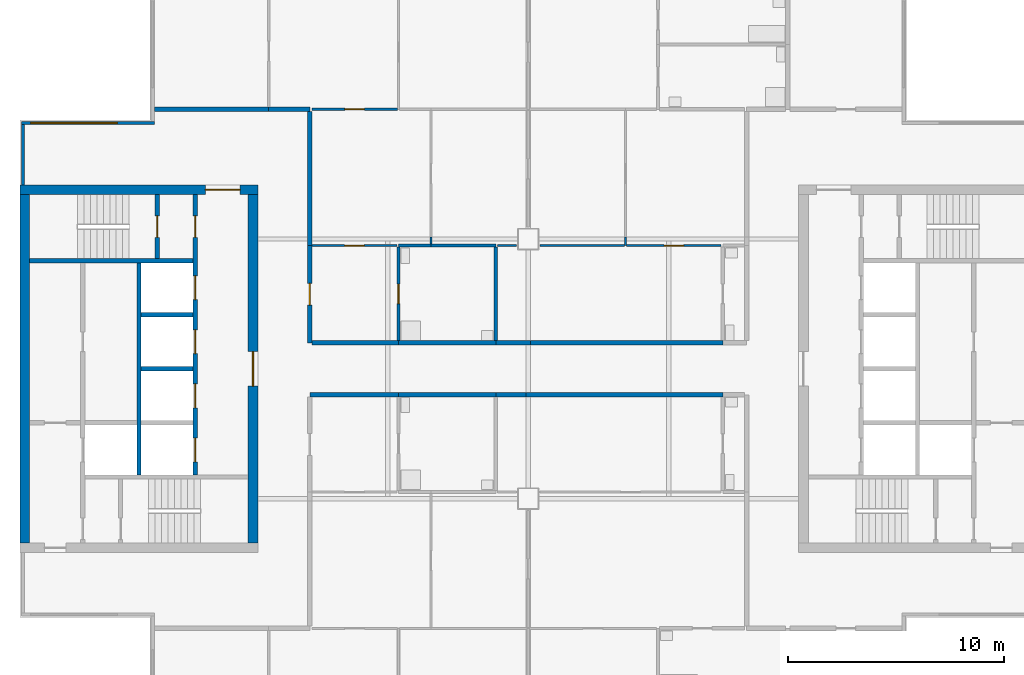
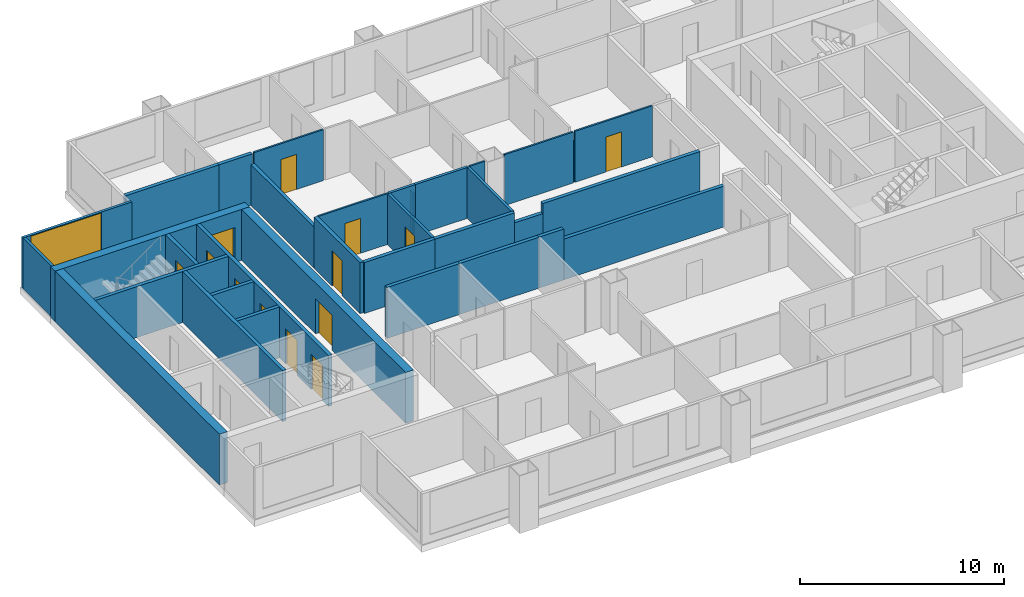
# One storey, part 3 of 8: 34 walls, 13 doors, 1 window, 14 openings.
"""IFC4 building model written with IfcOpenShell, lengths in metres."""

from ifc_helpers import new_model, si_unit, direction, frame, frame_2d, origin, place, context, subcontext, project, spatial, rectangle, extrude, material, layer, layer_set, type_object, element, fill, save


model = new_model("IFC4")

# Units and contexts
model_context = context("Model", 3, precision=1e-05, world=origin(), true_north=direction((0.0, 1.0)))
body_context = subcontext(model_context, "Body", "Model", "MODEL_VIEW")
ifc_project = project(units=[si_unit("LENGTHUNIT", "METRE"), si_unit("AREAUNIT", "SQUARE_METRE"), si_unit("VOLUMEUNIT", "CUBIC_METRE"), si_unit("PLANEANGLEUNIT", "RADIAN"), si_unit("MASSUNIT", "GRAM", prefix="KILO")], contexts=[model_context])

# Site, building, storey
site_placement = place(None, origin())
site = spatial("IfcSite", under=ifc_project, at=site_placement, CompositionType="ELEMENT")
building_placement = place(site_placement, origin())
building = spatial("IfcBuilding", under=site, at=building_placement, Name="Kitamizu Gate Tower and Museum", CompositionType="ELEMENT")
storey_placement = place(building_placement, frame((0.0, 0.0, 235.199951171875)))
storey = spatial("IfcBuildingStorey", under=building, at=storey_placement, Name="L63", CompositionType="ELEMENT", Elevation=235.199951171875)

# Wall, opening, door
ifc_material_1 = material(Name="Concrete Fc42", Category="concrete")
ifc_layer_1 = layer(ifc_material_1, 0.449951171875)
ifc_layer_set_1 = layer_set([ifc_layer_1], Name="Concrete Fc42")
wall_type_1 = type_object("IfcWallType", Name="Core wall 450", PredefinedType="SHEAR", material=ifc_layer_set_1)
wall_1_placement = place(storey_placement, frame((12.5, 38.27490234375, 0.0), z_axis=(0.0, 0.0, 1.0), x_axis=(1.0, 0.0, 0.0)))
wall_1 = element("IfcWall", 1, at=wall_1_placement, inside=storey, type_object=wall_type_1, Name="Core wall WN", PredefinedType="SHEAR", context=body_context, shape_type="SweptSolid", body=[
    extrude(rectangle(XDim=11.0, YDim=0.449951171875, at=frame_2d((5.5, 0.0))), origin(), (0.0, 0.0, 1.0), 3.050048828125),
])
opening_1_placement = place(wall_1_placement, frame((8.574951171875, 0.0, 0.0)))
opening_1 = element("IfcOpeningElement", 2, at=opening_1_placement, cuts=wall_1, Name="Opening L63-036", PredefinedType="OPENING", context=body_context, shape_type="SweptSolid", body=[
    extrude(rectangle(XDim=1.60009765625, YDim=2.10009765625, at=frame_2d((0.800048828125, 1.050048828125))), frame((0.0, 0.23486328125, 0.0), z_axis=(0.0, -1.0, 0.0), x_axis=(1.0, 0.0, 0.0)), (0.0, 0.0, 1.0), 0.469970703125),
])
ifc_material_2 = material(Name="Timber door set", Category="wood")
door_type_1 = type_object("IfcDoorType", Name="Entrance door 1600", OperationType="DOUBLE_DOOR_SINGLE_SWING", PredefinedType="DOOR", material=ifc_material_2)
door_1_placement = place(opening_1_placement, origin())
door_1 = element("IfcDoor", 3, at=door_1_placement, inside=storey, type_object=door_type_1, Name="Lobby door L63-036", OperationType="DOUBLE_DOOR_SINGLE_SWING", OverallHeight=2.10009765625, OverallWidth=1.60009765625, PredefinedType="DOOR", context=body_context, shape_type="SweptSolid", body=[
    extrude(rectangle(XDim=1.60009765625, YDim=2.10009765625, at=frame_2d((0.800048828125, 1.050048828125))), frame((0.0, 0.02490234375, 0.0), z_axis=(0.0, -1.0, 0.0), x_axis=(1.0, 0.0, 0.0)), (0.0, 0.0, 1.0), 0.050048828125),
])
fill(opening_1, door_1)

# Wall
wall_2_placement = place(storey_placement, frame((12.72509765625, 21.949951171875, 0.0), z_axis=(0.0, 0.0, 1.0), x_axis=(0.0, 1.0, 0.0)))
element("IfcWall", 4, at=wall_2_placement, inside=storey, type_object=wall_type_1, Name="Core wall WOUT", PredefinedType="SHEAR", context=body_context, shape_type="SweptSolid", body=[
    extrude(rectangle(XDim=16.10009765625, YDim=0.449951171875, at=frame_2d((8.050048828125, 0.0))), origin(), (0.0, 0.0, 1.0), 3.050048828125),
])

# Wall, opening, door
wall_3_placement = place(storey_placement, frame((23.27490234375, 21.949951171875, 0.0), z_axis=(0.0, 0.0, 1.0), x_axis=(0.0, 1.0, 0.0)))
wall_3 = element("IfcWall", 5, at=wall_3_placement, inside=storey, type_object=wall_type_1, Name="Core wall WARC", PredefinedType="SHEAR", context=body_context, shape_type="SweptSolid", body=[
    extrude(rectangle(XDim=16.10009765625, YDim=0.449951171875, at=frame_2d((8.050048828125, 0.0))), origin(), (0.0, 0.0, 1.0), 3.050048828125),
])
opening_2_placement = place(wall_3_placement, frame((7.25, 0.0, 0.0)))
opening_2 = element("IfcOpeningElement", 6, at=opening_2_placement, cuts=wall_3, Name="Opening L63-037", PredefinedType="OPENING", context=body_context, shape_type="SweptSolid", body=[
    extrude(rectangle(XDim=1.60009765625, YDim=2.10009765625, at=frame_2d((0.800048828125, 1.050048828125))), frame((0.0, 0.23486328125, 0.0), z_axis=(0.0, -1.0, 0.0), x_axis=(1.0, 0.0, 0.0)), (0.0, 0.0, 1.0), 0.469970703125),
])
door_2_placement = place(opening_2_placement, origin())
door_2 = element("IfcDoor", 7, at=door_2_placement, inside=storey, type_object=door_type_1, Name="Lobby door L63-037", OperationType="DOUBLE_DOOR_SINGLE_SWING", OverallHeight=2.10009765625, OverallWidth=1.60009765625, PredefinedType="DOOR", context=body_context, shape_type="SweptSolid", body=[
    extrude(rectangle(XDim=1.60009765625, YDim=2.10009765625, at=frame_2d((0.800048828125, 1.050048828125))), frame((0.0, 0.02490234375, 0.0), z_axis=(0.0, -1.0, 0.0), x_axis=(1.0, 0.0, 0.0)), (0.0, 0.0, 1.0), 0.050048828125),
])
fill(opening_2, door_2)

ifc_material_3 = material(Name="Gypsum board on galvanised stud")
ifc_layer_2 = layer(ifc_material_3, 0.10009765625)
ifc_layer_set_2 = layer_set([ifc_layer_2], Name="Gypsum board on galvanised stud")
wall_type_2 = type_object("IfcWallType", Name="Partition 100 NOT RATED", PredefinedType="PARTITIONING", material=ifc_layer_set_2)
wall_4_placement = place(storey_placement, frame((26.0, 42.0, 0.0), z_axis=(0.0, 0.0, 1.0), x_axis=(1.0, 0.0, 0.0)))
wall_4 = element("IfcWall", 8, at=wall_4_placement, inside=storey, type_object=wall_type_2, Name="Partition L63-041", PredefinedType="PARTITIONING", context=body_context, shape_type="SweptSolid", body=[
    extrude(rectangle(XDim=3.949951171875, YDim=0.10009765625, at=frame_2d((1.97509765625, 0.0))), origin(), (0.0, 0.0, 1.0), 3.050048828125),
])
opening_3_placement = place(wall_4_placement, frame((1.52490234375, 0.0, 0.0)))
opening_3 = element("IfcOpeningElement", 9, at=opening_3_placement, cuts=wall_4, Name="Opening L63-017", PredefinedType="OPENING", context=body_context, shape_type="SweptSolid", body=[
    extrude(rectangle(XDim=0.89990234375, YDim=2.10009765625, at=frame_2d((0.449951171875, 1.050048828125))), frame((0.0, 0.06005859375, 0.0), z_axis=(0.0, -1.0, 0.0), x_axis=(1.0, 0.0, 0.0)), (0.0, 0.0, 1.0), 0.1201171875),
])
ifc_material_4 = material(Name="Timber door set", Category="wood")
door_type_2 = type_object("IfcDoorType", Name="Room door 900", OperationType="NOTDEFINED", PredefinedType="DOOR", material=ifc_material_4)
door_3_placement = place(opening_3_placement, origin())
door_3 = element("IfcDoor", 10, at=door_3_placement, inside=storey, type_object=door_type_2, Name="Door L63-017", OperationType="SINGLE_SWING_RIGHT", OverallHeight=2.10009765625, OverallWidth=0.89990234375, PredefinedType="DOOR", context=body_context, shape_type="SweptSolid", body=[
    extrude(rectangle(XDim=0.89990234375, YDim=2.10009765625, at=frame_2d((0.449951171875, 1.050048828125))), frame((0.0, 0.02490234375, 0.0), z_axis=(0.0, -1.0, 0.0), x_axis=(1.0, 0.0, 0.0)), (0.0, 0.0, 1.0), 0.050048828125),
])
fill(opening_3, door_3)

# Wall
wall_5_placement = place(storey_placement, frame((31.5, 35.77490234375, 0.0), z_axis=(0.0, 0.0, 1.0), x_axis=(0.0, 1.0, 0.0)))
element("IfcWall", 11, at=wall_5_placement, inside=storey, type_object=wall_type_2, Name="Partition L63-055", PredefinedType="PARTITIONING", context=body_context, shape_type="SweptSolid", body=[
    extrude(rectangle(XDim=0.3251953125, YDim=0.10009765625, at=frame_2d((0.16259765625, 0.0))), origin(), (0.0, 0.0, 1.0), 2.449951171875),
])

# Wall, opening, door
wall_6_placement = place(storey_placement, frame((26.0, 35.699951171875, 0.0), z_axis=(0.0, 0.0, 1.0), x_axis=(1.0, 0.0, 0.0)))
wall_6 = element("IfcWall", 12, at=wall_6_placement, inside=storey, type_object=wall_type_2, Name="Partition L63-057", PredefinedType="PARTITIONING", context=body_context, shape_type="SweptSolid", body=[
    extrude(rectangle(XDim=3.925048828125, YDim=0.10009765625, at=frame_2d((1.96240234375, 0.0))), origin(), (0.0, 0.0, 1.0), 3.050048828125),
])
opening_4_placement = place(wall_6_placement, frame((1.512451171875, 0.0, 0.0)))
opening_4 = element("IfcOpeningElement", 13, at=opening_4_placement, cuts=wall_6, Name="Opening L63-016", PredefinedType="OPENING", context=body_context, shape_type="SweptSolid", body=[
    extrude(rectangle(XDim=0.89990234375, YDim=2.10009765625, at=frame_2d((0.449951171875, 1.050048828125))), frame((0.0, 0.06005859375, 0.0), z_axis=(0.0, -1.0, 0.0), x_axis=(1.0, 0.0, 0.0)), (0.0, 0.0, 1.0), 0.1201171875),
])
door_4_placement = place(opening_4_placement, origin())
door_4 = element("IfcDoor", 14, at=door_4_placement, inside=storey, type_object=door_type_2, Name="Door L63-016", OperationType="SINGLE_SWING_LEFT", OverallHeight=2.10009765625, OverallWidth=0.89990234375, PredefinedType="DOOR", context=body_context, shape_type="SweptSolid", body=[
    extrude(rectangle(XDim=0.89990234375, YDim=2.10009765625, at=frame_2d((0.449951171875, 1.050048828125))), frame((0.0, 0.02490234375, 0.0), z_axis=(0.0, -1.0, 0.0), x_axis=(1.0, 0.0, 0.0)), (0.0, 0.0, 1.0), 0.050048828125),
])
fill(opening_4, door_4)

# Walls
wall_7_placement = place(storey_placement, frame((34.574951171875, 35.699951171875, 0.0), z_axis=(0.0, 0.0, 1.0), x_axis=(1.0, 0.0, 0.0)))
element("IfcWall", 15, at=wall_7_placement, inside=storey, type_object=wall_type_2, Name="Partition L63-062", PredefinedType="PARTITIONING", context=body_context, shape_type="SweptSolid", body=[
    extrude(rectangle(XDim=0.875, YDim=0.10009765625, at=frame_2d((0.4375, 0.0))), origin(), (0.0, 0.0, 1.0), 3.050048828125),
])
wall_8_placement = place(storey_placement, frame((40.5, 35.699951171875, 0.0), z_axis=(0.0, 0.0, 1.0), x_axis=(0.0, 1.0, 0.0)))
element("IfcWall", 16, at=wall_8_placement, inside=storey, type_object=wall_type_2, Name="Partition L63-063", PredefinedType="PARTITIONING", context=body_context, shape_type="SweptSolid", body=[
    extrude(rectangle(XDim=0.400146484375, YDim=0.10009765625, at=frame_2d((0.2001953125, 0.0))), origin(), (0.0, 0.0, 1.0), 2.449951171875),
])
wall_9_placement = place(storey_placement, frame((36.550048828125, 35.699951171875, 0.0), z_axis=(0.0, 0.0, 1.0), x_axis=(1.0, 0.0, 0.0)))
element("IfcWall", 17, at=wall_9_placement, inside=storey, type_object=wall_type_2, Name="Partition L63-065", PredefinedType="PARTITIONING", context=body_context, shape_type="SweptSolid", body=[
    extrude(rectangle(XDim=3.89990234375, YDim=0.10009765625, at=frame_2d((1.949951171875, 0.0))), origin(), (0.0, 0.0, 1.0), 3.050048828125),
])

# Wall, opening, door
wall_10_placement = place(storey_placement, frame((40.550048828125, 35.699951171875, 0.0), z_axis=(0.0, 0.0, 1.0), x_axis=(1.0, 0.0, 0.0)))
wall_10 = element("IfcWall", 18, at=wall_10_placement, inside=storey, type_object=wall_type_2, Name="Partition L63-066", PredefinedType="PARTITIONING", context=body_context, shape_type="SweptSolid", body=[
    extrude(rectangle(XDim=4.375, YDim=0.10009765625, at=frame_2d((2.1875, 0.0))), origin(), (0.0, 0.0, 1.0), 3.050048828125),
])
opening_5_placement = place(wall_10_placement, frame((1.737548828125, 0.0, 0.0)))
opening_5 = element("IfcOpeningElement", 19, at=opening_5_placement, cuts=wall_10, Name="Opening L63-025", PredefinedType="OPENING", context=body_context, shape_type="SweptSolid", body=[
    extrude(rectangle(XDim=0.89990234375, YDim=2.10009765625, at=frame_2d((0.449951171875, 1.050048828125))), frame((0.0, 0.06005859375, 0.0), z_axis=(0.0, -1.0, 0.0), x_axis=(1.0, 0.0, 0.0)), (0.0, 0.0, 1.0), 0.1201171875),
])
door_5_placement = place(opening_5_placement, origin())
door_5 = element("IfcDoor", 20, at=door_5_placement, inside=storey, type_object=door_type_2, Name="Door L63-025", OperationType="SINGLE_SWING_RIGHT", OverallHeight=2.10009765625, OverallWidth=0.89990234375, PredefinedType="DOOR", context=body_context, shape_type="SweptSolid", body=[
    extrude(rectangle(XDim=0.89990234375, YDim=2.10009765625, at=frame_2d((0.449951171875, 1.050048828125))), frame((0.0, 0.02490234375, 0.0), z_axis=(0.0, -1.0, 0.0), x_axis=(1.0, 0.0, 0.0)), (0.0, 0.0, 1.0), 0.050048828125),
])
fill(opening_5, door_5)

# Walls
ifc_material_5 = material(Name="Gypsum board on galvanised stud")
ifc_layer_3 = layer(ifc_material_5, 0.14990234375)
ifc_layer_set_3 = layer_set([ifc_layer_3], Name="Gypsum board on galvanised stud")
wall_type_3 = type_object("IfcWallType", Name="Partition 150", PredefinedType="PARTITIONING", material=ifc_layer_set_3)
wall_11_placement = place(storey_placement, frame((30.0, 35.699951171875, 0.0), z_axis=(0.0, 0.0, 1.0), x_axis=(1.0, 0.0, 0.0)))
element("IfcWall", 21, at=wall_11_placement, inside=storey, type_object=wall_type_3, Name="Partition L63-058", PredefinedType="PARTITIONING", context=body_context, shape_type="SweptSolid", body=[
    extrude(rectangle(XDim=1.5, YDim=0.14990234375, at=frame_2d((0.75, 0.0))), origin(), (0.0, 0.0, 1.0), 3.050048828125),
])
wall_12_placement = place(storey_placement, frame((31.5, 35.699951171875, 0.0), z_axis=(0.0, 0.0, 1.0), x_axis=(1.0, 0.0, 0.0)))
element("IfcWall", 22, at=wall_12_placement, inside=storey, type_object=wall_type_3, Name="Partition L63-061", PredefinedType="PARTITIONING", context=body_context, shape_type="SweptSolid", body=[
    extrude(rectangle(XDim=3.0, YDim=0.14990234375, at=frame_2d((1.5, 0.0))), origin(), (0.0, 0.0, 1.0), 3.050048828125),
])

# Wall, opening, door
wall_13_placement = place(storey_placement, frame((30.0, 31.300048828125, 0.0), z_axis=(0.0, 0.0, 1.0), x_axis=(0.0, 1.0, 0.0)))
wall_13 = element("IfcWall", 23, at=wall_13_placement, inside=storey, type_object=wall_type_3, Name="Partition L63-070", PredefinedType="PARTITIONING", context=body_context, shape_type="SweptSolid", body=[
    extrude(rectangle(XDim=4.324951171875, YDim=0.14990234375, at=frame_2d((2.16259765625, 0.0))), origin(), (0.0, 0.0, 1.0), 3.050048828125),
])
opening_6_placement = place(wall_13_placement, frame((1.71240234375, 0.0, 0.0)))
opening_6 = element("IfcOpeningElement", 24, at=opening_6_placement, cuts=wall_13, Name="Opening L63-015", PredefinedType="OPENING", context=body_context, shape_type="SweptSolid", body=[
    extrude(rectangle(XDim=0.89990234375, YDim=2.10009765625, at=frame_2d((0.449951171875, 1.050048828125))), frame((0.0, 0.0849609375, 0.0), z_axis=(0.0, -1.0, 0.0), x_axis=(1.0, 0.0, 0.0)), (0.0, 0.0, 1.0), 0.169921875),
])
ifc_material_6 = material(Name="Timber door set", Category="wood")
door_type_3 = type_object("IfcDoorType", Name="Bathroom door 900", OperationType="NOTDEFINED", PredefinedType="DOOR", material=ifc_material_6)
door_6_placement = place(opening_6_placement, frame((0.89990234375, 0.0, 0.0), x_axis=(-1.0, 0.0, 0.0)))
door_6 = element("IfcDoor", 25, at=door_6_placement, inside=storey, type_object=door_type_3, Name="Bathroom door L63-015", OperationType="SINGLE_SWING_LEFT", OverallHeight=2.10009765625, OverallWidth=0.89990234375, PredefinedType="DOOR", context=body_context, shape_type="SweptSolid", body=[
    extrude(rectangle(XDim=0.89990234375, YDim=2.10009765625, at=frame_2d((0.449951171875, 1.050048828125))), frame((0.0, 0.02490234375, 0.0), z_axis=(0.0, -1.0, 0.0), x_axis=(1.0, 0.0, 0.0)), (0.0, 0.0, 1.0), 0.050048828125),
])
fill(opening_6, door_6)

# Walls
wall_14_placement = place(storey_placement, frame((34.5, 31.300048828125, 0.0), z_axis=(0.0, 0.0, 1.0), x_axis=(0.0, 1.0, 0.0)))
element("IfcWall", 26, at=wall_14_placement, inside=storey, type_object=wall_type_3, Name="Partition L63-073", PredefinedType="PARTITIONING", context=body_context, shape_type="SweptSolid", body=[
    extrude(rectangle(XDim=4.324951171875, YDim=0.14990234375, at=frame_2d((2.16259765625, 0.0))), origin(), (0.0, 0.0, 1.0), 3.050048828125),
])
ifc_material_7 = material(Name="Gypsum board on galvanised stud")
ifc_layer_4 = layer(ifc_material_7, 0.199951171875)
ifc_layer_set_4 = layer_set([ifc_layer_4], Name="Gypsum board on galvanised stud")
wall_type_4 = type_object("IfcWallType", Name="Partition 200", PredefinedType="PARTITIONING", material=ifc_layer_set_4)
wall_15_placement = place(storey_placement, frame((30.0, 28.800048828125, 0.0), z_axis=(0.0, 0.0, 1.0), x_axis=(-1.0, 0.0, 0.0)))
element("IfcWall", 27, at=wall_15_placement, inside=storey, type_object=wall_type_4, Name="Partition L63-029", PredefinedType="PARTITIONING", context=body_context, shape_type="SweptSolid", body=[
    extrude(rectangle(XDim=4.10009765625, YDim=0.199951171875, at=frame_2d((2.050048828125, 0.0))), origin(), (0.0, 0.0, 1.0), 3.050048828125),
])
wall_16_placement = place(storey_placement, frame((34.5, 28.800048828125, 0.0), z_axis=(0.0, 0.0, 1.0), x_axis=(-1.0, 0.0, 0.0)))
element("IfcWall", 28, at=wall_16_placement, inside=storey, type_object=wall_type_4, Name="Partition L63-032", PredefinedType="PARTITIONING", context=body_context, shape_type="SweptSolid", body=[
    extrude(rectangle(XDim=4.5, YDim=0.199951171875, at=frame_2d((2.25, 0.0))), origin(), (0.0, 0.0, 1.0), 3.050048828125),
])
wall_17_placement = place(storey_placement, frame((45.0, 28.800048828125, 0.0), z_axis=(0.0, 0.0, 1.0), x_axis=(-1.0, 0.0, 0.0)))
element("IfcWall", 29, at=wall_17_placement, inside=storey, type_object=wall_type_4, Name="Partition L63-034", PredefinedType="PARTITIONING", context=body_context, shape_type="SweptSolid", body=[
    extrude(rectangle(XDim=9.10009765625, YDim=0.199951171875, at=frame_2d((4.550048828125, 0.0))), origin(), (0.0, 0.0, 1.0), 2.449951171875),
])
wall_18_placement = place(storey_placement, frame((35.89990234375, 28.800048828125, 0.0), z_axis=(0.0, 0.0, 1.0), x_axis=(-1.0, 0.0, 0.0)))
element("IfcWall", 30, at=wall_18_placement, inside=storey, type_object=wall_type_4, Name="Partition L63-035", PredefinedType="PARTITIONING", context=body_context, shape_type="SweptSolid", body=[
    extrude(rectangle(XDim=1.39990234375, YDim=0.199951171875, at=frame_2d((0.699951171875, 0.0))), origin(), (0.0, 0.0, 1.0), 3.050048828125),
])
wall_19_placement = place(storey_placement, frame((18.719970703125, 42.0, 0.0), z_axis=(0.0, 0.0, 1.0), x_axis=(1.0, 0.0, 0.0)))
element("IfcWall", 31, at=wall_19_placement, inside=storey, type_object=wall_type_4, Name="Partition L63-039", PredefinedType="PARTITIONING", context=body_context, shape_type="SweptSolid", body=[
    extrude(rectangle(XDim=5.280029296875, YDim=0.199951171875, at=frame_2d((2.64013671875, 0.0))), origin(), (0.0, 0.0, 1.0), 3.050048828125),
])
wall_20_placement = place(storey_placement, frame((24.0, 42.0, 0.0), z_axis=(0.0, 0.0, 1.0), x_axis=(1.0, 0.0, 0.0)))
element("IfcWall", 32, at=wall_20_placement, inside=storey, type_object=wall_type_4, Name="Partition L63-042", PredefinedType="PARTITIONING", context=body_context, shape_type="SweptSolid", body=[
    extrude(rectangle(XDim=1.89990234375, YDim=0.199951171875, at=frame_2d((0.949951171875, 0.0))), origin(), (0.0, 0.0, 1.0), 3.050048828125),
])
wall_21_placement = place(storey_placement, frame((25.89990234375, 41.89990234375, 0.0), z_axis=(0.0, 0.0, 1.0), x_axis=(0.0, -1.0, 0.0)))
element("IfcWall", 33, at=wall_21_placement, inside=storey, type_object=wall_type_4, Name="Partition L63-059", PredefinedType="PARTITIONING", context=body_context, shape_type="SweptSolid", body=[
    extrude(rectangle(XDim=6.199951171875, YDim=0.199951171875, at=frame_2d((3.10009765625, 0.0))), origin(), (0.0, 0.0, 1.0), 2.449951171875),
])

# Wall, opening, door
wall_22_placement = place(storey_placement, frame((25.89990234375, 35.699951171875, 0.0), z_axis=(0.0, 0.0, 1.0), x_axis=(0.0, -1.0, 0.0)))
wall_22 = element("IfcWall", 34, at=wall_22_placement, inside=storey, type_object=wall_type_4, Name="Partition L63-071", PredefinedType="PARTITIONING", context=body_context, shape_type="SweptSolid", body=[
    extrude(rectangle(XDim=4.5, YDim=0.199951171875, at=frame_2d((2.25, 0.0))), origin(), (0.0, 0.0, 1.0), 3.050048828125),
])
opening_7_placement = place(wall_22_placement, frame((1.75, 0.0, 0.0)))
opening_7 = element("IfcOpeningElement", 35, at=opening_7_placement, cuts=wall_22, Name="Opening L63-014", PredefinedType="OPENING", context=body_context, shape_type="SweptSolid", body=[
    extrude(rectangle(XDim=1.0, YDim=2.10009765625, at=frame_2d((0.5, 1.050048828125))), frame((0.0, 0.10986328125, 0.0), z_axis=(0.0, -1.0, 0.0), x_axis=(1.0, 0.0, 0.0)), (0.0, 0.0, 1.0), 0.219970703125),
])
ifc_material_8 = material(Name="Timber door set", Category="wood")
door_type_4 = type_object("IfcDoorType", Name="Flat entrance door 1000", OperationType="NOTDEFINED", PredefinedType="DOOR", material=ifc_material_8)
door_7_placement = place(opening_7_placement, origin())
door_7 = element("IfcDoor", 36, at=door_7_placement, inside=storey, type_object=door_type_4, Name="Flat entrance door L63-014", OperationType="SINGLE_SWING_LEFT", OverallHeight=2.10009765625, OverallWidth=1.0, PredefinedType="DOOR", context=body_context, shape_type="SweptSolid", body=[
    extrude(rectangle(XDim=1.0, YDim=2.10009765625, at=frame_2d((0.5, 1.050048828125))), frame((0.0, 0.02490234375, 0.0), z_axis=(0.0, -1.0, 0.0), x_axis=(1.0, 0.0, 0.0)), (0.0, 0.0, 1.0), 0.050048828125),
])
fill(opening_7, door_7)

# Walls
wall_23_placement = place(storey_placement, frame((26.0, 31.199951171875, 0.0), z_axis=(0.0, 0.0, 1.0), x_axis=(1.0, 0.0, 0.0)))
element("IfcWall", 37, at=wall_23_placement, inside=storey, type_object=wall_type_4, Name="Partition L63-072", PredefinedType="PARTITIONING", context=body_context, shape_type="SweptSolid", body=[
    extrude(rectangle(XDim=4.0, YDim=0.199951171875, at=frame_2d((2.0, 0.0))), origin(), (0.0, 0.0, 1.0), 3.050048828125),
])
wall_24_placement = place(storey_placement, frame((30.0, 31.199951171875, 0.0), z_axis=(0.0, 0.0, 1.0), x_axis=(1.0, 0.0, 0.0)))
element("IfcWall", 38, at=wall_24_placement, inside=storey, type_object=wall_type_4, Name="Partition L63-074", PredefinedType="PARTITIONING", context=body_context, shape_type="SweptSolid", body=[
    extrude(rectangle(XDim=4.5, YDim=0.199951171875, at=frame_2d((2.25, 0.0))), origin(), (0.0, 0.0, 1.0), 3.050048828125),
])
wall_25_placement = place(storey_placement, frame((34.5, 31.199951171875, 0.0), z_axis=(0.0, 0.0, 1.0), x_axis=(1.0, 0.0, 0.0)))
element("IfcWall", 39, at=wall_25_placement, inside=storey, type_object=wall_type_4, Name="Partition L63-076", PredefinedType="PARTITIONING", context=body_context, shape_type="SweptSolid", body=[
    extrude(rectangle(XDim=1.60009765625, YDim=0.199951171875, at=frame_2d((0.800048828125, 0.0))), origin(), (0.0, 0.0, 1.0), 2.449951171875),
])
wall_26_placement = place(storey_placement, frame((36.10009765625, 31.199951171875, 0.0), z_axis=(0.0, 0.0, 1.0), x_axis=(1.0, 0.0, 0.0)))
element("IfcWall", 40, at=wall_26_placement, inside=storey, type_object=wall_type_4, Name="Partition L63-077", PredefinedType="PARTITIONING", context=body_context, shape_type="SweptSolid", body=[
    extrude(rectangle(XDim=8.89990234375, YDim=0.199951171875, at=frame_2d((4.449951171875, 0.0))), origin(), (0.0, 0.0, 1.0), 3.050048828125),
])

# Wall, openings, doors
ifc_material_9 = material(Name="Concrete Fc42", Category="concrete")
ifc_layer_5 = layer(ifc_material_9, 0.199951171875)
ifc_layer_set_5 = layer_set([ifc_layer_5], Name="Concrete Fc42")
wall_type_5 = type_object("IfcWallType", Name="Shaft wall 200", PredefinedType="SOLIDWALL", material=ifc_layer_set_5)
wall_27_placement = place(storey_placement, frame((20.60009765625, 25.10009765625, 0.0), z_axis=(0.0, 0.0, 1.0), x_axis=(0.0, 1.0, 0.0)))
wall_27 = element("IfcWall", 41, at=wall_27_placement, inside=storey, type_object=wall_type_5, Name="Shaft wall WEAST", PredefinedType="SOLIDWALL", context=body_context, shape_type="SweptSolid", body=[
    extrude(rectangle(XDim=12.949951171875, YDim=0.199951171875, at=frame_2d((6.47509765625, 0.0))), origin(), (0.0, 0.0, 1.0), 3.050048828125),
])
opening_8_placement = place(wall_27_placement, frame((0.60009765625, 0.0, 0.0)))
opening_8 = element("IfcOpeningElement", 42, at=opening_8_placement, cuts=wall_27, Name="Opening LD", PredefinedType="OPENING", context=body_context, shape_type="SweptSolid", body=[
    extrude(rectangle(XDim=1.10009765625, YDim=2.10009765625, at=frame_2d((0.550048828125, 1.050048828125))), frame((0.0, 0.10986328125, 0.0), z_axis=(0.0, -1.0, 0.0), x_axis=(1.0, 0.0, 0.0)), (0.0, 0.0, 1.0), 0.219970703125),
])
opening_9_placement = place(wall_27_placement, frame((3.10009765625, 0.0, 0.0)))
opening_9 = element("IfcOpeningElement", 43, at=opening_9_placement, cuts=wall_27, Name="Opening LD", PredefinedType="OPENING", context=body_context, shape_type="SweptSolid", body=[
    extrude(rectangle(XDim=1.10009765625, YDim=2.10009765625, at=frame_2d((0.550048828125, 1.050048828125))), frame((0.0, 0.10986328125, 0.0), z_axis=(0.0, -1.0, 0.0), x_axis=(1.0, 0.0, 0.0)), (0.0, 0.0, 1.0), 0.219970703125),
])
opening_10_placement = place(wall_27_placement, frame((5.60009765625, 0.0, 0.0)))
opening_10 = element("IfcOpeningElement", 44, at=opening_10_placement, cuts=wall_27, Name="Opening LD", PredefinedType="OPENING", context=body_context, shape_type="SweptSolid", body=[
    extrude(rectangle(XDim=1.10009765625, YDim=2.10009765625, at=frame_2d((0.550048828125, 1.050048828125))), frame((0.0, 0.10986328125, 0.0), z_axis=(0.0, -1.0, 0.0), x_axis=(1.0, 0.0, 0.0)), (0.0, 0.0, 1.0), 0.219970703125),
])
opening_11_placement = place(wall_27_placement, frame((8.10009765625, 0.0, 0.0)))
opening_11 = element("IfcOpeningElement", 45, at=opening_11_placement, cuts=wall_27, Name="Opening LD", PredefinedType="OPENING", context=body_context, shape_type="SweptSolid", body=[
    extrude(rectangle(XDim=1.10009765625, YDim=2.10009765625, at=frame_2d((0.550048828125, 1.050048828125))), frame((0.0, 0.10986328125, 0.0), z_axis=(0.0, -1.0, 0.0), x_axis=(1.0, 0.0, 0.0)), (0.0, 0.0, 1.0), 0.219970703125),
])
opening_12_placement = place(wall_27_placement, frame((10.97509765625, 0.0, 0.0)))
opening_12 = element("IfcOpeningElement", 46, at=opening_12_placement, cuts=wall_27, Name="Opening L63-032", PredefinedType="OPENING", context=body_context, shape_type="SweptSolid", body=[
    extrude(rectangle(XDim=1.0, YDim=2.10009765625, at=frame_2d((0.5, 1.050048828125))), frame((0.0, 0.10986328125, 0.0), z_axis=(0.0, -1.0, 0.0), x_axis=(1.0, 0.0, 0.0)), (0.0, 0.0, 1.0), 0.219970703125),
])
ifc_material_10 = material(Name="Hollow metal door set")
door_type_5 = type_object("IfcDoorType", Name="Fire door 1000", OperationType="NOTDEFINED", PredefinedType="DOOR", material=ifc_material_10)
door_8_placement = place(opening_12_placement, origin())
door_8 = element("IfcDoor", 47, at=door_8_placement, inside=storey, type_object=door_type_5, Name="Stair lobby door L63-032", OperationType="SINGLE_SWING_LEFT", OverallHeight=2.10009765625, OverallWidth=1.0, PredefinedType="DOOR", context=body_context, shape_type="SweptSolid", body=[
    extrude(rectangle(XDim=1.0, YDim=2.10009765625, at=frame_2d((0.5, 1.050048828125))), frame((0.0, 0.02490234375, 0.0), z_axis=(0.0, -1.0, 0.0), x_axis=(1.0, 0.0, 0.0)), (0.0, 0.0, 1.0), 0.050048828125),
])
fill(opening_12, door_8)
ifc_material_11 = material(Name="Hollow metal door set")
door_type_6 = type_object("IfcDoorType", Name="Landing door 1100", OperationType="SLIDING_TO_LEFT", PredefinedType="DOOR", material=ifc_material_11)
door_9_placement = place(opening_8_placement, origin())
door_9 = element("IfcDoor", 48, at=door_9_placement, inside=storey, type_object=door_type_6, Name="Landing door WSV1", OperationType="SLIDING_TO_LEFT", OverallHeight=2.10009765625, OverallWidth=1.10009765625, PredefinedType="DOOR", context=body_context, shape_type="SweptSolid", body=[
    extrude(rectangle(XDim=1.10009765625, YDim=2.10009765625, at=frame_2d((0.550048828125, 1.050048828125))), frame((0.0, 0.02490234375, 0.0), z_axis=(0.0, -1.0, 0.0), x_axis=(1.0, 0.0, 0.0)), (0.0, 0.0, 1.0), 0.050048828125),
])
fill(opening_8, door_9)
door_10_placement = place(opening_9_placement, origin())
door_10 = element("IfcDoor", 49, at=door_10_placement, inside=storey, type_object=door_type_6, Name="Landing door WH1", OperationType="SLIDING_TO_LEFT", OverallHeight=2.10009765625, OverallWidth=1.10009765625, PredefinedType="DOOR", context=body_context, shape_type="SweptSolid", body=[
    extrude(rectangle(XDim=1.10009765625, YDim=2.10009765625, at=frame_2d((0.550048828125, 1.050048828125))), frame((0.0, 0.02490234375, 0.0), z_axis=(0.0, -1.0, 0.0), x_axis=(1.0, 0.0, 0.0)), (0.0, 0.0, 1.0), 0.050048828125),
])
fill(opening_9, door_10)
door_11_placement = place(opening_10_placement, origin())
door_11 = element("IfcDoor", 50, at=door_11_placement, inside=storey, type_object=door_type_6, Name="Landing door WH2", OperationType="SLIDING_TO_LEFT", OverallHeight=2.10009765625, OverallWidth=1.10009765625, PredefinedType="DOOR", context=body_context, shape_type="SweptSolid", body=[
    extrude(rectangle(XDim=1.10009765625, YDim=2.10009765625, at=frame_2d((0.550048828125, 1.050048828125))), frame((0.0, 0.02490234375, 0.0), z_axis=(0.0, -1.0, 0.0), x_axis=(1.0, 0.0, 0.0)), (0.0, 0.0, 1.0), 0.050048828125),
])
fill(opening_10, door_11)
door_12_placement = place(opening_11_placement, origin())
door_12 = element("IfcDoor", 51, at=door_12_placement, inside=storey, type_object=door_type_6, Name="Landing door WH3", OperationType="SLIDING_TO_LEFT", OverallHeight=2.10009765625, OverallWidth=1.10009765625, PredefinedType="DOOR", context=body_context, shape_type="SweptSolid", body=[
    extrude(rectangle(XDim=1.10009765625, YDim=2.10009765625, at=frame_2d((0.550048828125, 1.050048828125))), frame((0.0, 0.02490234375, 0.0), z_axis=(0.0, -1.0, 0.0), x_axis=(1.0, 0.0, 0.0)), (0.0, 0.0, 1.0), 0.050048828125),
])
fill(opening_11, door_12)

# Walls
wall_28_placement = place(storey_placement, frame((18.0, 25.10009765625, 0.0), z_axis=(0.0, 0.0, 1.0), x_axis=(0.0, 1.0, 0.0)))
element("IfcWall", 52, at=wall_28_placement, inside=storey, type_object=wall_type_5, Name="Shaft wall WMID", PredefinedType="SOLIDWALL", context=body_context, shape_type="SweptSolid", body=[
    extrude(rectangle(XDim=9.7998046875, YDim=0.199951171875, at=frame_2d((4.89990234375, 0.0))), origin(), (0.0, 0.0, 1.0), 3.050048828125),
])
wall_29_placement = place(storey_placement, frame((12.949951171875, 35.0, 0.0), z_axis=(0.0, 0.0, 1.0), x_axis=(1.0, 0.0, 0.0)))
element("IfcWall", 53, at=wall_29_placement, inside=storey, type_object=wall_type_5, Name="Shaft wall WNB", PredefinedType="SOLIDWALL", context=body_context, shape_type="SweptSolid", body=[
    extrude(rectangle(XDim=7.550048828125, YDim=0.199951171875, at=frame_2d((3.77490234375, 0.0))), origin(), (0.0, 0.0, 1.0), 3.050048828125),
])

# Wall, opening, door
wall_30_placement = place(storey_placement, frame((18.85009765625, 35.10009765625, 0.0), z_axis=(0.0, 0.0, 1.0), x_axis=(0.0, 1.0, 0.0)))
wall_30 = element("IfcWall", 54, at=wall_30_placement, inside=storey, type_object=wall_type_5, Name="Shaft wall WNZ", PredefinedType="SOLIDWALL", context=body_context, shape_type="SweptSolid", body=[
    extrude(rectangle(XDim=2.949951171875, YDim=0.199951171875, at=frame_2d((1.47509765625, 0.0))), origin(), (0.0, 0.0, 1.0), 3.050048828125),
])
opening_13_placement = place(wall_30_placement, frame((0.97509765625, 0.0, 0.0)))
opening_13 = element("IfcOpeningElement", 55, at=opening_13_placement, cuts=wall_30, Name="Opening L63-033", PredefinedType="OPENING", context=body_context, shape_type="SweptSolid", body=[
    extrude(rectangle(XDim=1.0, YDim=2.10009765625, at=frame_2d((0.5, 1.050048828125))), frame((0.0, 0.10986328125, 0.0), z_axis=(0.0, -1.0, 0.0), x_axis=(1.0, 0.0, 0.0)), (0.0, 0.0, 1.0), 0.219970703125),
])
door_13_placement = place(opening_13_placement, origin())
door_13 = element("IfcDoor", 56, at=door_13_placement, inside=storey, type_object=door_type_5, Name="Stair door L63-033", OperationType="SINGLE_SWING_RIGHT", OverallHeight=2.10009765625, OverallWidth=1.0, PredefinedType="DOOR", context=body_context, shape_type="SweptSolid", body=[
    extrude(rectangle(XDim=1.0, YDim=2.10009765625, at=frame_2d((0.5, 1.050048828125))), frame((0.0, 0.02490234375, 0.0), z_axis=(0.0, -1.0, 0.0), x_axis=(1.0, 0.0, 0.0)), (0.0, 0.0, 1.0), 0.050048828125),
])
fill(opening_13, door_13)

# Walls
for number, where, z_axis, x_axis, name in (
    (57, (18.10009765625, 30.0, 0.0), (0.0, 0.0, 1.0), (1.0, 0.0, 0.0), "Shaft wall WDVE1"),
    (58, (18.10009765625, 32.5, 0.0), (0.0, 0.0, 1.0), (1.0, 0.0, 0.0), "Shaft wall WDVE2"),
):
    element("IfcWall", number, at=place(storey_placement, frame(where, z_axis=z_axis, x_axis=x_axis)), inside=storey, type_object=wall_type_5, Name=name, PredefinedType="SOLIDWALL", context=body_context, shape_type="SweptSolid", body=[
        extrude(rectangle(XDim=2.39990234375, YDim=0.199951171875, at=frame_2d((1.199951171875, 0.0))), origin(), (0.0, 0.0, 1.0), 3.050048828125),
    ])

# Wall, opening, window
ifc_material_12 = material(Name="Bronze anodised aluminium frame with insulated spandrel and tinted glass", Category="aluminium")
ifc_layer_6 = layer(ifc_material_12, 0.14990234375)
ifc_layer_set_6 = layer_set([ifc_layer_6], Name="Bronze anodised aluminium frame with insulated spandrel and tinted glass")
wall_type_6 = type_object("IfcWallType", Name="WINDOW WALL 150 BRONZE FRAME EI 30", PredefinedType="ELEMENTEDWALL", material=ifc_layer_set_6)
wall_31_placement = place(storey_placement, frame((12.56005859375, 41.364990234375, 0.0), z_axis=(0.0, 0.0, 1.0), x_axis=(1.0, 0.0, 0.0)))
wall_31 = element("IfcWall", 59, at=wall_31_placement, inside=storey, type_object=wall_type_6, Name="Window wall north L63", PredefinedType="ELEMENTEDWALL", context=body_context, shape_type="SweptSolid", body=[
    extrude(rectangle(XDim=6.14990234375, YDim=0.14990234375, at=frame_2d((3.074951171875, 0.0))), origin(), (0.0, 0.0, 1.0), 3.050048828125),
])
opening_14_placement = place(wall_31_placement, frame((0.43994140625, 0.0, 0.449951171875)))
opening_14 = element("IfcOpeningElement", 60, at=opening_14_placement, cuts=wall_31, Name="Opening W16", PredefinedType="OPENING", context=body_context, shape_type="SweptSolid", body=[
    extrude(rectangle(XDim=4.0, YDim=2.550048828125, at=frame_2d((2.0, 1.27490234375))), frame((0.0, 0.0849609375, 0.0), z_axis=(0.0, -1.0, 0.0), x_axis=(1.0, 0.0, 0.0)), (0.0, 0.0, 1.0), 0.169921875),
])
ifc_material_13 = material(Name="Bronze anodised aluminium frame, tinted triple glazing", Category="aluminium")
window_type = type_object("IfcWindowType", Name="WINDOW 4000 x 2550 SILL 450", PartitioningType="SINGLE_PANEL", PredefinedType="WINDOW", material=ifc_material_13)
window_placement = place(opening_14_placement, origin())
window = element("IfcWindow", 61, at=window_placement, inside=storey, type_object=window_type, Name="Window W16 L63", OverallHeight=2.550048828125, OverallWidth=4.0, PartitioningType="SINGLE_PANEL", PredefinedType="WINDOW", context=body_context, shape_type="SweptSolid", body=[
    extrude(rectangle(XDim=4.0, YDim=2.550048828125, at=frame_2d((2.0, 1.27490234375))), frame((0.0, 0.030029296875, 0.0), z_axis=(0.0, -1.0, 0.0), x_axis=(1.0, 0.0, 0.0)), (0.0, 0.0, 1.0), 0.06005859375),
])
fill(opening_14, window)

# Wall
wall_32_placement = place(storey_placement, frame((12.635009765625, 38.5, 0.0), z_axis=(0.0, 0.0, 1.0), x_axis=(0.0, 1.0, 0.0)))
element("IfcWall", 62, at=wall_32_placement, inside=storey, type_object=wall_type_6, Name="Window wall west L63", PredefinedType="ELEMENTEDWALL", context=body_context, shape_type="SweptSolid", body=[
    extrude(rectangle(XDim=2.7900390625, YDim=0.14990234375, at=frame_2d((1.39501953125, 0.0))), origin(), (0.0, 0.0, 1.0), 3.050048828125),
])

save(model, "model.ifc")
